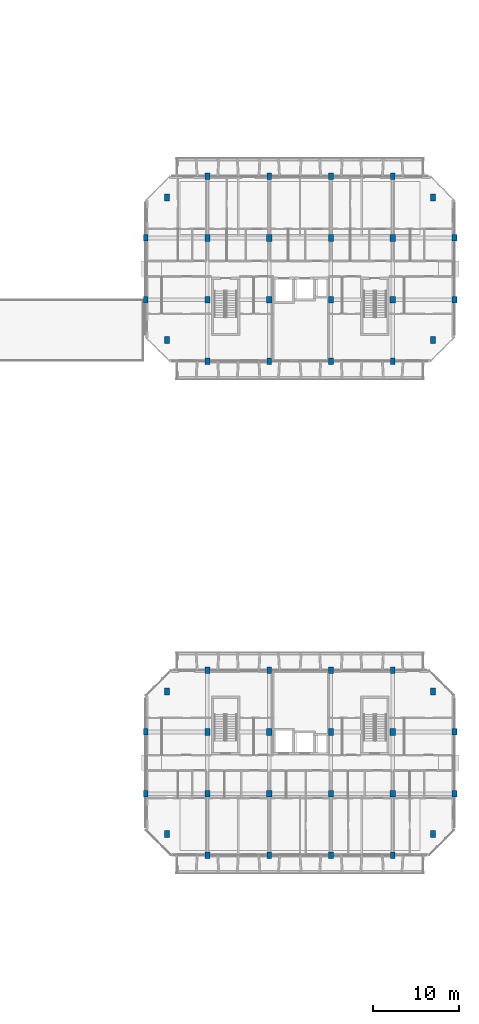
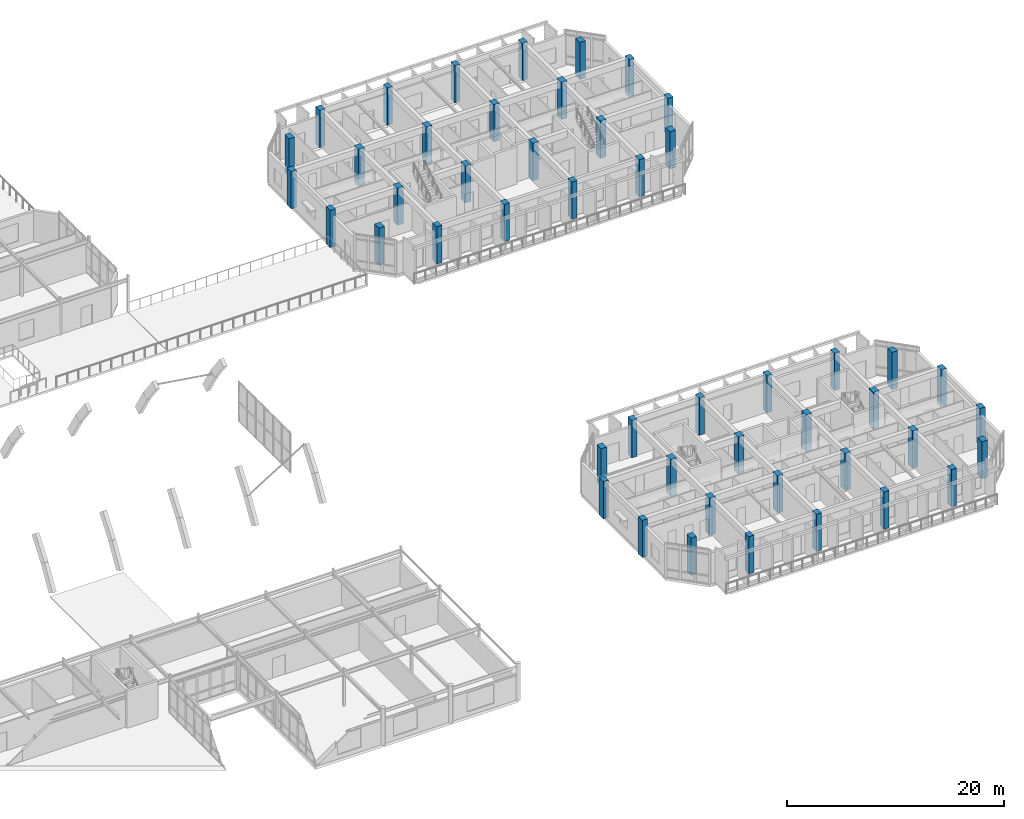
# One storey, part 15 of 85: 48 columns.
"""IFC4 building model written with IfcOpenShell, lengths in metres."""

from ifc_helpers import new_model, si_unit, direction, frame, origin, origin_2d, place, context, subcontext, project, spatial, rectangle, extrude, material, material_profile, profile_set, type_object, element, save


model = new_model("IFC4")

# Units and contexts
model_context = context("Model", 3, precision=1e-05, world=origin(), true_north=direction((0.0, 1.0)))
body_context = subcontext(model_context, "Body", "Model", "MODEL_VIEW")
ifc_project = project(units=[si_unit("LENGTHUNIT", "METRE"), si_unit("AREAUNIT", "SQUARE_METRE"), si_unit("VOLUMEUNIT", "CUBIC_METRE"), si_unit("PLANEANGLEUNIT", "RADIAN"), si_unit("MASSUNIT", "GRAM", prefix="KILO")], contexts=[model_context])

# Site, building, storey
site_placement = place(None, origin())
site = spatial("IfcSite", under=ifc_project, at=site_placement, CompositionType="ELEMENT")
building_placement = place(site_placement, origin())
building = spatial("IfcBuilding", under=site, at=building_placement, Name="Ochrevale Crest", CompositionType="ELEMENT")
storey_placement = place(building_placement, frame((0.0, 0.0, 4.5)))
storey = spatial("IfcBuildingStorey", under=building, at=storey_placement, Name="L01", CompositionType="ELEMENT", Elevation=4.5)

# Columns
ifc_material_1 = material(Name="Precast concrete C50/60", Category="concrete")
ifc_material_profile_1 = material_profile(ifc_material_1, rectangle(XDim=0.550048828125, YDim=0.75, at=origin_2d()), Name="RC 550x750")
ifc_profile_set_1 = profile_set([ifc_material_profile_1], Name="Precast concrete C50/60")
column_type_1 = type_object("IfcColumnType", Name="COL-RC550x750", PredefinedType="COLUMN", material=ifc_profile_set_1)
for number, where, z_axis, x_axis, name in (
    (1, (129.60009765625, 21.60009765625, 0.0), (0.0, 0.0, 1.0), (1.0, 0.0, 0.0), "Block C L01 column (129.6,21.6)"),
    (2, (129.60009765625, 28.800048828125, 0.0), (0.0, 0.0, 1.0), (1.0, 0.0, 0.0), "Block C L01 column (129.6,28.8)"),
    (3, (136.800048828125, 14.39990234375, 0.0), (0.0, 0.0, 1.0), (1.0, 0.0, 0.0), "Block C L01 column (136.8,14.4)"),
    (4, (136.800048828125, 36.0, 0.0), (0.0, 0.0, 1.0), (1.0, 0.0, 0.0), "Block C L01 column (136.8,36.0)"),
    (5, (144.0, 14.39990234375, 0.0), (0.0, 0.0, 1.0), (1.0, 0.0, 0.0), "Block C L01 column (144.0,14.4)"),
    (6, (144.0, 36.0, 0.0), (0.0, 0.0, 1.0), (1.0, 0.0, 0.0), "Block C L01 column (144.0,36.0)"),
    (7, (151.199951171875, 14.39990234375, 0.0), (0.0, 0.0, 1.0), (1.0, 0.0, 0.0), "Block C L01 column (151.2,14.4)"),
    (8, (151.199951171875, 36.0, 0.0), (0.0, 0.0, 1.0), (1.0, 0.0, 0.0), "Block C L01 column (151.2,36.0)"),
    (9, (158.39990234375, 14.39990234375, 0.0), (0.0, 0.0, 1.0), (1.0, 0.0, 0.0), "Block C L01 column (158.4,14.4)"),
    (10, (158.39990234375, 36.0, 0.0), (0.0, 0.0, 1.0), (1.0, 0.0, 0.0), "Block C L01 column (158.4,36.0)"),
    (11, (165.60009765625, 21.60009765625, 0.0), (0.0, 0.0, 1.0), (1.0, 0.0, 0.0), "Block C L01 column (165.6,21.6)"),
    (12, (165.60009765625, 28.800048828125, 0.0), (0.0, 0.0, 1.0), (1.0, 0.0, 0.0), "Block C L01 column (165.6,28.8)"),
    (13, (129.60009765625, 79.199951171875, 0.0), (0.0, 0.0, 1.0), (1.0, 0.0, 0.0), "Block D L01 column (129.6,79.2)"),
    (14, (129.60009765625, 86.39990234375, 0.0), (0.0, 0.0, 1.0), (1.0, 0.0, 0.0), "Block D L01 column (129.6,86.4)"),
    (15, (136.800048828125, 72.0, 0.0), (0.0, 0.0, 1.0), (1.0, 0.0, 0.0), "Block D L01 column (136.8,72.0)"),
    (16, (136.800048828125, 93.60009765625, 0.0), (0.0, 0.0, 1.0), (1.0, 0.0, 0.0), "Block D L01 column (136.8,93.6)"),
    (17, (144.0, 72.0, 0.0), (0.0, 0.0, 1.0), (1.0, 0.0, 0.0), "Block D L01 column (144.0,72.0)"),
    (18, (144.0, 93.60009765625, 0.0), (0.0, 0.0, 1.0), (1.0, 0.0, 0.0), "Block D L01 column (144.0,93.6)"),
    (19, (151.199951171875, 72.0, 0.0), (0.0, 0.0, 1.0), (1.0, 0.0, 0.0), "Block D L01 column (151.2,72.0)"),
    (20, (151.199951171875, 93.60009765625, 0.0), (0.0, 0.0, 1.0), (1.0, 0.0, 0.0), "Block D L01 column (151.2,93.6)"),
    (21, (158.39990234375, 72.0, 0.0), (0.0, 0.0, 1.0), (1.0, 0.0, 0.0), "Block D L01 column (158.4,72.0)"),
    (22, (158.39990234375, 93.60009765625, 0.0), (0.0, 0.0, 1.0), (1.0, 0.0, 0.0), "Block D L01 column (158.4,93.6)"),
    (23, (165.60009765625, 79.199951171875, 0.0), (0.0, 0.0, 1.0), (1.0, 0.0, 0.0), "Block D L01 column (165.6,79.2)"),
    (24, (165.60009765625, 86.39990234375, 0.0), (0.0, 0.0, 1.0), (1.0, 0.0, 0.0), "Block D L01 column (165.6,86.4)"),
):
    element("IfcColumn", number, at=place(storey_placement, frame(where, z_axis=z_axis, x_axis=x_axis)), inside=storey, type_object=column_type_1, Name=name, PredefinedType="COLUMN", context=body_context, shape_type="SweptSolid", body=[
        extrude(rectangle(XDim=0.550048828125, YDim=0.75, at=origin_2d()), origin(), (0.0, 0.0, 1.0), 4.199951171875),
    ])
ifc_material_2 = material(Name="Concrete C50/60", Category="concrete")
ifc_material_profile_2 = material_profile(ifc_material_2, rectangle(XDim=0.60009765625, YDim=0.800048828125, at=origin_2d()), Name="RC 600x800")
ifc_profile_set_2 = profile_set([ifc_material_profile_2], Name="Concrete C50/60")
column_type_2 = type_object("IfcColumnType", Name="COL-RC600x800", PredefinedType="COLUMN", material=ifc_profile_set_2)
for number, where, z_axis, x_axis, name in (
    (25, (132.10009765625, 16.89990234375, 0.0), (0.0, 0.0, 1.0), (1.0, 0.0, 0.0), "Block C L01 column (132.1,16.9)"),
    (26, (132.10009765625, 33.5, 0.0), (0.0, 0.0, 1.0), (1.0, 0.0, 0.0), "Block C L01 column (132.1,33.5)"),
    (27, (136.800048828125, 21.60009765625, 0.0), (0.0, 0.0, 1.0), (1.0, 0.0, 0.0), "Block C L01 column (136.8,21.6)"),
    (28, (136.800048828125, 28.800048828125, 0.0), (0.0, 0.0, 1.0), (1.0, 0.0, 0.0), "Block C L01 column (136.8,28.8)"),
    (29, (144.0, 21.60009765625, 0.0), (0.0, 0.0, 1.0), (1.0, 0.0, 0.0), "Block C L01 column (144.0,21.6)"),
    (30, (144.0, 28.800048828125, 0.0), (0.0, 0.0, 1.0), (1.0, 0.0, 0.0), "Block C L01 column (144.0,28.8)"),
    (31, (151.199951171875, 21.60009765625, 0.0), (0.0, 0.0, 1.0), (1.0, 0.0, 0.0), "Block C L01 column (151.2,21.6)"),
    (32, (151.199951171875, 28.800048828125, 0.0), (0.0, 0.0, 1.0), (1.0, 0.0, 0.0), "Block C L01 column (151.2,28.8)"),
    (33, (158.39990234375, 21.60009765625, 0.0), (0.0, 0.0, 1.0), (1.0, 0.0, 0.0), "Block C L01 column (158.4,21.6)"),
    (34, (158.39990234375, 28.800048828125, 0.0), (0.0, 0.0, 1.0), (1.0, 0.0, 0.0), "Block C L01 column (158.4,28.8)"),
    (35, (163.10009765625, 16.89990234375, 0.0), (0.0, 0.0, 1.0), (1.0, 0.0, 0.0), "Block C L01 column (163.1,16.9)"),
    (36, (163.10009765625, 33.5, 0.0), (0.0, 0.0, 1.0), (1.0, 0.0, 0.0), "Block C L01 column (163.1,33.5)"),
    (37, (132.10009765625, 74.5, 0.0), (0.0, 0.0, 1.0), (1.0, 0.0, 0.0), "Block D L01 column (132.1,74.5)"),
    (38, (132.10009765625, 91.10009765625, 0.0), (0.0, 0.0, 1.0), (1.0, 0.0, 0.0), "Block D L01 column (132.1,91.1)"),
    (39, (136.800048828125, 79.199951171875, 0.0), (0.0, 0.0, 1.0), (1.0, 0.0, 0.0), "Block D L01 column (136.8,79.2)"),
    (40, (136.800048828125, 86.39990234375, 0.0), (0.0, 0.0, 1.0), (1.0, 0.0, 0.0), "Block D L01 column (136.8,86.4)"),
    (41, (144.0, 79.199951171875, 0.0), (0.0, 0.0, 1.0), (1.0, 0.0, 0.0), "Block D L01 column (144.0,79.2)"),
    (42, (144.0, 86.39990234375, 0.0), (0.0, 0.0, 1.0), (1.0, 0.0, 0.0), "Block D L01 column (144.0,86.4)"),
    (43, (151.199951171875, 79.199951171875, 0.0), (0.0, 0.0, 1.0), (1.0, 0.0, 0.0), "Block D L01 column (151.2,79.2)"),
    (44, (151.199951171875, 86.39990234375, 0.0), (0.0, 0.0, 1.0), (1.0, 0.0, 0.0), "Block D L01 column (151.2,86.4)"),
    (45, (158.39990234375, 79.199951171875, 0.0), (0.0, 0.0, 1.0), (1.0, 0.0, 0.0), "Block D L01 column (158.4,79.2)"),
    (46, (158.39990234375, 86.39990234375, 0.0), (0.0, 0.0, 1.0), (1.0, 0.0, 0.0), "Block D L01 column (158.4,86.4)"),
    (47, (163.10009765625, 74.5, 0.0), (0.0, 0.0, 1.0), (1.0, 0.0, 0.0), "Block D L01 column (163.1,74.5)"),
    (48, (163.10009765625, 91.10009765625, 0.0), (0.0, 0.0, 1.0), (1.0, 0.0, 0.0), "Block D L01 column (163.1,91.1)"),
):
    element("IfcColumn", number, at=place(storey_placement, frame(where, z_axis=z_axis, x_axis=x_axis)), inside=storey, type_object=column_type_2, Name=name, PredefinedType="COLUMN", context=body_context, shape_type="SweptSolid", body=[
        extrude(rectangle(XDim=0.60009765625, YDim=0.800048828125, at=origin_2d()), origin(), (0.0, 0.0, 1.0), 4.199951171875),
    ])

save(model, "model.ifc")
